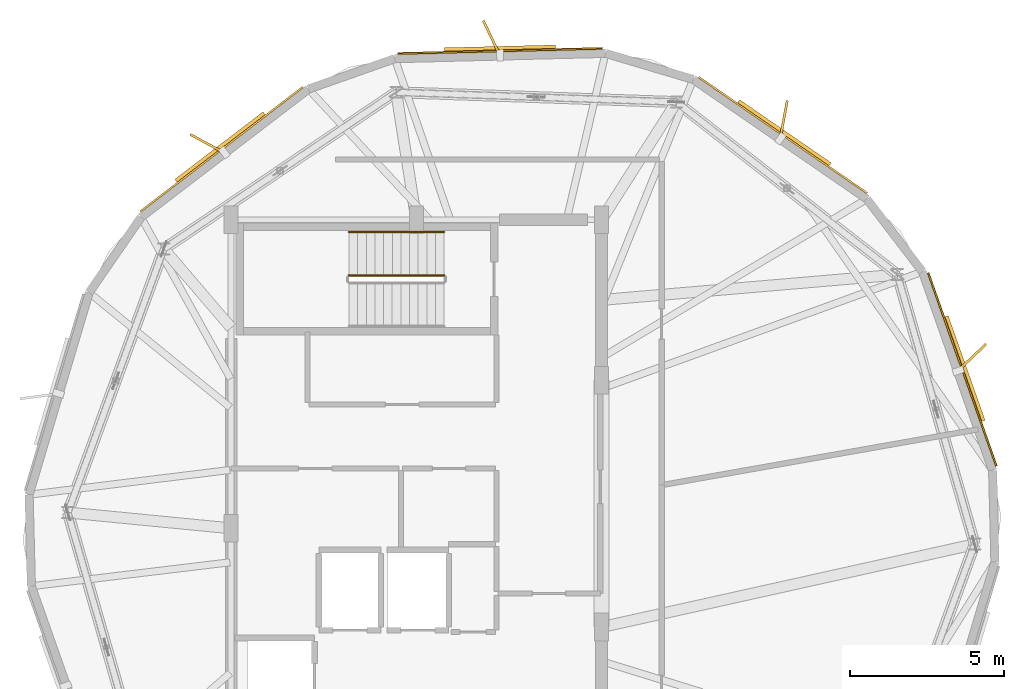
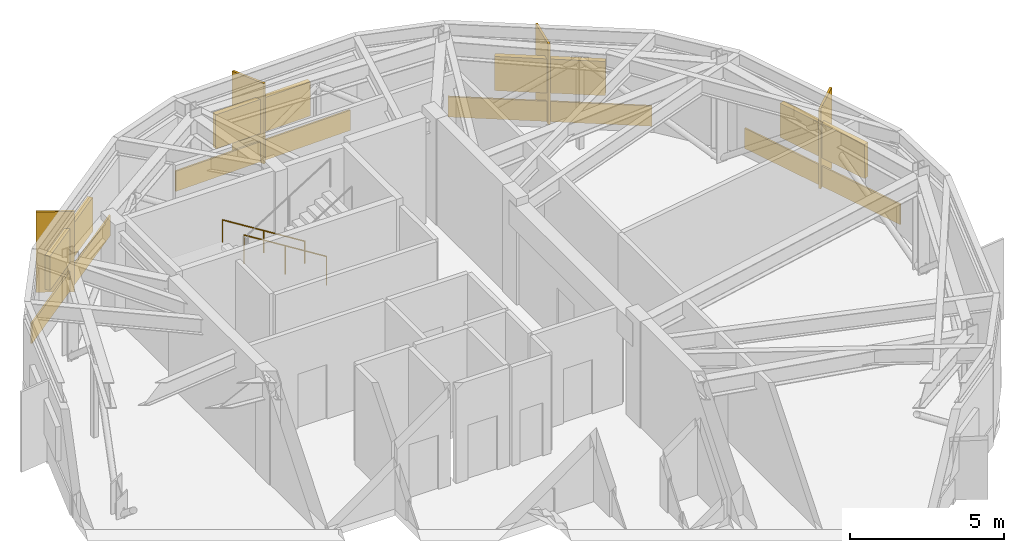
# One storey, part 9 of 9: 8 shading devices, 4 coverings, 2 railings.
"""IFC4 building model written with IfcOpenShell, lengths in metres."""

import ifcopenshell
import ifcopenshell.guid

model = None  # the IFC model being written
_history = None  # IfcOwnerHistory: only IFC2X3 demands one
_inside = {}  # id of a spatial element -> (the spatial element, [elements in it])
_under = {}  # id of a project, library or spatial element -> (it, [spatial elements below it])
_declared = {}  # id of a project -> (the project, [libraries it declares])
_typed = {}  # id of a type object -> (the type object, [elements of that type])
_made_of = {}  # id of a material, layer set ... -> (it, [elements and type objects made of it])


def new_model(schema):
    """Start an empty IFC model of exactly this schema.

    Asked for "IFC4X3", IfcOpenShell would pick the latest addendum, in which some entities
    have other attributes; the version numbers below select the first issue.
    IFC2X3 requires an IfcOwnerHistory on every rooted entity: one is made here for all.
    """
    global model, _history
    if schema == "IFC4X3":
        model = ifcopenshell.file(schema_version=(4, 3, 0, 0))
    else:
        model = ifcopenshell.file(schema=schema)
    _inside.clear()
    _under.clear()
    _declared.clear()
    _typed.clear()
    _made_of.clear()
    _history = None
    if model.schema == "IFC2X3":
        org = make("IfcOrganization", Name="unknown")
        user = make(
            "IfcPersonAndOrganization",
            ThePerson=make("IfcPerson", FamilyName="unknown"),
            TheOrganization=org,
        )
        app = make(
            "IfcApplication",
            ApplicationDeveloper=org,
            Version="unknown",
            ApplicationFullName="unknown",
            ApplicationIdentifier="unknown",
        )
        _history = make(
            "IfcOwnerHistory",
            OwningUser=user,
            OwningApplication=app,
            ChangeAction="ADDED",
            CreationDate=0,
        )
    return model


def make(cls, **values):
    """One entity of the class cls with the attributes given. An attribute that is None is left unset."""
    return model.create_entity(
        cls, **{name: value for name, value in values.items() if value is not None}
    )


def rooted(cls, **values):
    """An entity with a GlobalId (a new one), such as an element, a storey or a relation."""
    return make(cls, GlobalId=ifcopenshell.guid.new(), OwnerHistory=_history, **values)


def si_unit(unit_type, name, prefix=None):
    """IfcSIUnit, for example si_unit("LENGTHUNIT", "METRE", prefix="MILLI")."""
    return make("IfcSIUnit", UnitType=unit_type, Prefix=prefix, Name=name)


def assignment(units):
    """IfcUnitAssignment: the units of a project."""
    return None if units is None else make("IfcUnitAssignment", Units=units)


def point(xyz):
    """IfcCartesianPoint."""
    return None if xyz is None else make("IfcCartesianPoint", Coordinates=xyz)


def direction(xyz):
    """IfcDirection."""
    return None if xyz is None else make("IfcDirection", DirectionRatios=xyz)


def frame(location, z_axis=None, x_axis=None):
    """IfcAxis2Placement3D, a coordinate frame: its origin and axes. An axis left out is left unset."""
    return make(
        "IfcAxis2Placement3D",
        Location=point(location),
        Axis=direction(z_axis),
        RefDirection=direction(x_axis),
    )


def frame_2d(location, x_axis=None):
    """IfcAxis2Placement2D, a coordinate frame in the plane: its origin and x axis."""
    return make(
        "IfcAxis2Placement2D", Location=point(location), RefDirection=direction(x_axis)
    )


def origin():
    """The frame at (0, 0, 0) with its axes left unset."""
    return frame((0.0, 0.0, 0.0))


def origin_2d():
    """The frame at (0, 0) in the plane with its x axis left unset."""
    return frame_2d((0.0, 0.0))


def place(relative_to, where):
    """IfcLocalPlacement: puts the frame where relative to a parent placement (None: the world)."""
    return make(
        "IfcLocalPlacement", PlacementRelTo=relative_to, RelativePlacement=where
    )


def context(
    kind, dimensions, precision=None, world=None, true_north=None, identifier=None
):
    """IfcGeometricRepresentationContext, for example the 3D "Model" context."""
    return make(
        "IfcGeometricRepresentationContext",
        ContextIdentifier=identifier,
        ContextType=kind,
        CoordinateSpaceDimension=dimensions,
        Precision=precision,
        WorldCoordinateSystem=world,
        TrueNorth=true_north,
    )


def subcontext(parent, identifier, kind, view, scale=None):
    """IfcGeometricRepresentationSubContext, for example "Body" below "Model"."""
    return make(
        "IfcGeometricRepresentationSubContext",
        ContextIdentifier=identifier,
        ContextType=kind,
        ParentContext=parent,
        TargetScale=scale,
        TargetView=view,
    )


def project(units=None, contexts=None):
    """IfcProject with its units and contexts."""
    return rooted(
        "IfcProject",
        Name="project",
        RepresentationContexts=contexts,
        UnitsInContext=assignment(units),
    )


def spatial(cls, under=None, at=None, **own):
    """A site, building, storey or space (cls), placed at a placement, below another one or the project."""
    s = rooted(cls, ObjectPlacement=at, **own)
    if under is not None:
        _under.setdefault(under.id(), (under, []))[1].append(s)
    return s


def profile(cls, at=None, kind="AREA", **sizes):
    """A parametric profile (cls). Its sizes go by their IFC names, for example OverallWidth=200.0."""
    return make(cls, ProfileType=kind, Position=at, **sizes)


def rectangle(**sizes):
    """IfcRectangleProfileDef."""
    return profile("IfcRectangleProfileDef", **sizes)


def circle(**sizes):
    """IfcCircleProfileDef."""
    return profile("IfcCircleProfileDef", **sizes)


def extrude(swept, where, along, depth):
    """IfcExtrudedAreaSolid: the profile swept, set in the frame where, extruded along a direction by depth."""
    return make(
        "IfcExtrudedAreaSolid",
        SweptArea=swept,
        Position=where,
        ExtrudedDirection=direction(along),
        Depth=depth,
    )


def shape(context_of_items, identifier, shape_type, items):
    """IfcShapeRepresentation: the items that make up one representation, for example the "Body"."""
    return make(
        "IfcShapeRepresentation",
        ContextOfItems=context_of_items,
        RepresentationIdentifier=identifier,
        RepresentationType=shape_type,
        Items=items,
    )


def material(Name=None, Category=None):
    """IfcMaterial."""
    return make("IfcMaterial", Name=Name, Category=Category)


def layer(
    of_material, thickness, ventilated=None, Name=None, Category=None, Priority=None
):
    """IfcMaterialLayer: one layer of a wall or slab, of a material (None: an air gap)."""
    return make(
        "IfcMaterialLayer",
        Material=of_material,
        LayerThickness=thickness,
        IsVentilated=ventilated,
        Name=Name,
        Category=Category,
        Priority=Priority,
    )


def layer_set(layers, Name=None):
    """IfcMaterialLayerSet."""
    return make("IfcMaterialLayerSet", MaterialLayers=layers, LayerSetName=Name)


def made_of(thing, what):
    """Note that an element or type object is made of a material, layer set ...; save() writes the relation."""
    if what is not None:
        _made_of.setdefault(what.id(), (what, []))[1].append(thing)
    return thing


def type_object(cls, material=None, **own):
    """A type object (cls), such as IfcWallType, which elements share."""
    return made_of(rooted(cls, **own), material)


def element(
    cls,
    number,
    at=None,
    inside=None,
    cuts=None,
    type_object=None,
    material=None,
    context=None,
    identifier="Body",
    shape_type=None,
    held_by="IfcProductDefinitionShape",
    body=None,
    shapes=None,
    **own,
):
    """One element of the class cls, such as IfcWall. Its Tag is "e" and its number.

    at: its placement. inside: the storey or other place that contains it. cuts: it is an
    opening in that element (IfcRelVoidsElement). A single representation is given by context,
    identifier, shape_type and body (its items); several are given by shapes. held_by: the class
    of the entity that holds the representations. save() writes the other relations.
    """
    e = rooted(cls, Tag="e%d" % number, ObjectPlacement=at, **own)
    if body is not None:
        shapes = [shape(context, identifier, shape_type, body)]
    if shapes is not None:
        e.Representation = make(held_by, Representations=shapes)
    if inside is not None:
        _inside.setdefault(inside.id(), (inside, []))[1].append(e)
    if cuts is not None:
        rooted(
            "IfcRelVoidsElement", RelatingBuildingElement=cuts, RelatedOpeningElement=e
        )
    if type_object is not None:
        _typed.setdefault(type_object.id(), (type_object, []))[1].append(e)
    return made_of(e, material)


def aggregate(whole, parts):
    """IfcRelAggregates: a whole, such as a stair, and the parts it consists of."""
    return rooted("IfcRelAggregates", RelatingObject=whole, RelatedObjects=parts)


def save(model, path):
    """Write the relations noted so far, then the file.

    IfcRelAggregates (storeys below a building ...), IfcRelContainedInSpatialStructure (elements
    in a storey), IfcRelDefinesByType, IfcRelAssociatesMaterial and IfcRelDeclares: one each for
    every whole, place, type object, material and project.
    """
    for whole, parts in _under.values():
        aggregate(whole, parts)
    for where, things in _inside.values():
        rooted(
            "IfcRelContainedInSpatialStructure",
            RelatedElements=things,
            RelatingStructure=where,
        )
    for kind, things in _typed.values():
        rooted("IfcRelDefinesByType", RelatedObjects=things, RelatingType=kind)
    for what, things in _made_of.values():
        rooted("IfcRelAssociatesMaterial", RelatedObjects=things, RelatingMaterial=what)
    for by, libraries in _declared.values():
        rooted("IfcRelDeclares", RelatingContext=by, RelatedDefinitions=libraries)
    model.write(path)


model = new_model("IFC4")

# Units and contexts
model_context = context("Model", 3, precision=1e-05, world=origin(), true_north=direction((0.0, 1.0)))
body_context = subcontext(model_context, "Body", "Model", "MODEL_VIEW")
ifc_project = project(units=[si_unit("LENGTHUNIT", "METRE"), si_unit("AREAUNIT", "SQUARE_METRE"), si_unit("VOLUMEUNIT", "CUBIC_METRE"), si_unit("PLANEANGLEUNIT", "RADIAN"), si_unit("MASSUNIT", "GRAM", prefix="KILO")], contexts=[model_context])

# Site, building, storey
site_placement = place(None, origin())
site = spatial("IfcSite", under=ifc_project, at=site_placement, CompositionType="ELEMENT")
building_placement = place(site_placement, origin())
building = spatial("IfcBuilding", under=site, at=building_placement, Name="Soratama Intermodal Tower", CompositionType="ELEMENT")
storey_placement = place(building_placement, frame((0.0, 0.0, 305.64990234375)))
storey = spatial("IfcBuildingStorey", under=building, at=storey_placement, Name="L77", CompositionType="ELEMENT", Elevation=305.64990234375)

# Coverings
ifc_material_1 = material(Name="Honed Andean limestone cladding", Category="masonry")
ifc_layer_1 = layer(ifc_material_1, 0.06005859375)
ifc_layer_set_1 = layer_set([ifc_layer_1], Name="Honed Andean limestone cladding")
covering_type = type_object("IfcCoveringType", Name="CV-STONE-CLAD", PredefinedType="CLADDING", material=ifc_layer_set_1)
for number, where, z_axis, x_axis, name in (
    (1, (41.311279296875, 40.467041015625, 0.05029296875), (0.0, 0.0, 1.0), (-0.999684189283, -0.025130095443, 0.0), "L77 Stone Cladding F01"),
    (2, (32.294189453125, 37.28466796875, 0.05029296875), (0.0, 0.0, 1.0), (-0.793990398648, -0.607930297695, 0.0), "L77 Stone Cladding F02"),
    (3, (56.289794921875, 30.1494140625, 0.05029296875), (0.0, 0.0, 1.0), (-0.332819544523, 0.942990535893, 0.0), "L77 Stone Cladding F09"),
    (4, (50.476806640625, 37.74169921875, 0.05029296875), (0.0, 0.0, 1.0), (-0.823532597628, 0.567268949127, 0.0), "L77 Stone Cladding F10"),
):
    element("IfcCovering", number, at=place(storey_placement, frame(where, z_axis=z_axis, x_axis=x_axis)), inside=storey, type_object=covering_type, Name=name, PredefinedType="CLADDING", context=body_context, shape_type="SweptSolid", body=[
        extrude(rectangle(XDim=6.631103515625, YDim=0.06005859375, at=origin_2d()), origin(), (0.0, 0.0, 1.0), 0.800048828125),
    ])

# Railings
ifc_material_2 = material(Name="Painted steel stair guardrail", Category="steel")
railing_type_1 = type_object("IfcRailingType", Name="RL-STAIR-GUARD", PredefinedType="GUARDRAIL", material=ifc_material_2)
railing_1_placement = place(storey_placement, frame((39.5, 33.199951171875, 0.175048828125)))
element("IfcRailing", 5, at=railing_1_placement, inside=storey, type_object=railing_type_1, Name="L77 ST-2 stair guard 1", PredefinedType="GUARDRAIL", context=body_context, shape_type="SweptSolid", body=[
    extrude(circle(Radius=0.02392578125, at=origin_2d()), frame((0.0, 0.0, 1.1259765625), z_axis=(-0.847998304005, 0.0, 0.529998940003), x_axis=(0.0, -1.0, 0.0)), (0.0, 0.0, 1.0), 3.632080078125),
    extrude(circle(Radius=0.02099609375, at=origin_2d()), origin(), (0.0, 0.0, 1.0), 1.101806640625),
    extrude(circle(Radius=0.02099609375, at=origin_2d()), frame((-1.5400390625, 0.0, 0.96240234375)), (0.0, 0.0, 1.0), 1.101806640625),
    extrude(circle(Radius=0.02099609375, at=origin_2d()), frame((-3.080078125, 0.0, 1.925048828125)), (0.0, 0.0, 1.0), 1.101806640625),
])
ifc_material_3 = material(Name="Brushed stainless steel handrail", Category="steel")
railing_type_2 = type_object("IfcRailingType", Name="RL-STAIR-HAND", PredefinedType="HANDRAIL", material=ifc_material_3)
railing_2_placement = place(storey_placement, frame((39.5, 34.60009765625, 0.175048828125)))
element("IfcRailing", 6, at=railing_2_placement, inside=storey, type_object=railing_type_2, Name="L77 ST-2 stair handrail 1", PredefinedType="HANDRAIL", context=body_context, shape_type="SweptSolid", body=[
    extrude(circle(Radius=0.02392578125, at=origin_2d()), frame((0.0, 0.0, 0.8759765625), z_axis=(-0.847998304005, 0.0, 0.529998940003), x_axis=(0.0, -1.0, 0.0)), (0.0, 0.0, 1.0), 3.632080078125),
    extrude(circle(Radius=0.02099609375, at=origin_2d()), origin(), (0.0, 0.0, 1.0), 0.851806640625),
    extrude(circle(Radius=0.02099609375, at=origin_2d()), frame((-1.5400390625, 0.0, 0.96240234375)), (0.0, 0.0, 1.0), 0.851806640625),
    extrude(circle(Radius=0.02099609375, at=origin_2d()), frame((-3.080078125, 0.0, 1.925048828125)), (0.0, 0.0, 1.0), 0.851806640625),
])

# Shading devices
ifc_material_4 = material(Name="Champagne anodised aluminium solar fin", Category="aluminium")
ifc_layer_2 = layer(ifc_material_4, 0.080078125)
ifc_layer_set_2 = layer_set([ifc_layer_2], Name="Champagne anodised aluminium solar fin")
shading_device_type_1 = type_object("IfcShadingDeviceType", Name="SH-FIN-1250", PredefinedType="USERDEFINED", material=ifc_layer_set_2)
for number, where, z_axis, x_axis, name in (
    (7, (41.0380859375, 40.8896484375, 0.02001953125), (0.0, 0.0, 1.0), (-0.429565675827, 0.903035619536, 0.0), "L77 Solar Fin F01-1"),
    (8, (31.82470703125, 37.466064453125, 0.02001953125), (0.0, 0.0, 1.0), (-0.878316951403, 0.478078793588, 0.0), "L77 Solar Fin F02-1"),
    (9, (56.607421875, 30.53955078125, 0.02001953125), (0.0, 0.0, 1.0), (0.726094816376, 0.687594588135, 0.0), "L77 Solar Fin F09-1"),
    (10, (50.50439453125, 38.243896484375, 0.02001953125), (0.0, 0.0, 1.0), (0.183265087514, 0.983063531873, 0.0), "L77 Solar Fin F10-1"),
):
    element("IfcShadingDevice", number, at=place(storey_placement, frame(where, z_axis=z_axis, x_axis=x_axis)), inside=storey, type_object=shading_device_type_1, Name=name, ObjectType="FIN", PredefinedType="USERDEFINED", context=body_context, shape_type="SweptSolid", body=[
        extrude(rectangle(XDim=1.25, YDim=0.080078125, at=origin_2d()), origin(), (0.0, 0.0, 1.0), 3.175048828125),
    ])
ifc_material_5 = material(Name="Anodised aluminium weather louvre", Category="aluminium")
ifc_layer_3 = layer(ifc_material_5, 0.1201171875)
ifc_layer_set_3 = layer_set([ifc_layer_3], Name="Anodised aluminium weather louvre")
shading_device_type_2 = type_object("IfcShadingDeviceType", Name="SH-LOUVRE-PLANT", PredefinedType="JALOUSIE", material=ifc_layer_set_3)
for number, where, z_axis, x_axis, name in (
    (11, (41.309814453125, 40.527099609375, 1.175048828125), (0.0, 0.0, 1.0), (-0.999684189283, -0.025130095443, 0.0), "L77 Acoustic Louvre F01"),
    (12, (32.257568359375, 37.332275390625, 1.175048828125), (0.0, 0.0, 1.0), (-0.793990398648, -0.607930297695, 0.0), "L77 Acoustic Louvre F02"),
    (13, (56.346435546875, 30.16943359375, 1.175048828125), (0.0, 0.0, 1.0), (-0.332819544523, 0.942990535893, 0.0), "L77 Acoustic Louvre F09"),
    (14, (50.5107421875, 37.791015625, 1.175048828125), (0.0, 0.0, 1.0), (-0.823532597628, 0.567268949127, 0.0), "L77 Acoustic Louvre F10"),
):
    element("IfcShadingDevice", number, at=place(storey_placement, frame(where, z_axis=z_axis, x_axis=x_axis)), inside=storey, type_object=shading_device_type_2, Name=name, PredefinedType="JALOUSIE", context=body_context, shape_type="SweptSolid", body=[
        extrude(rectangle(XDim=3.60009765625, YDim=0.179931640625, at=origin_2d()), origin(), (0.0, 0.0, 1.0), 1.35009765625),
    ])

save(model, "model.ifc")
